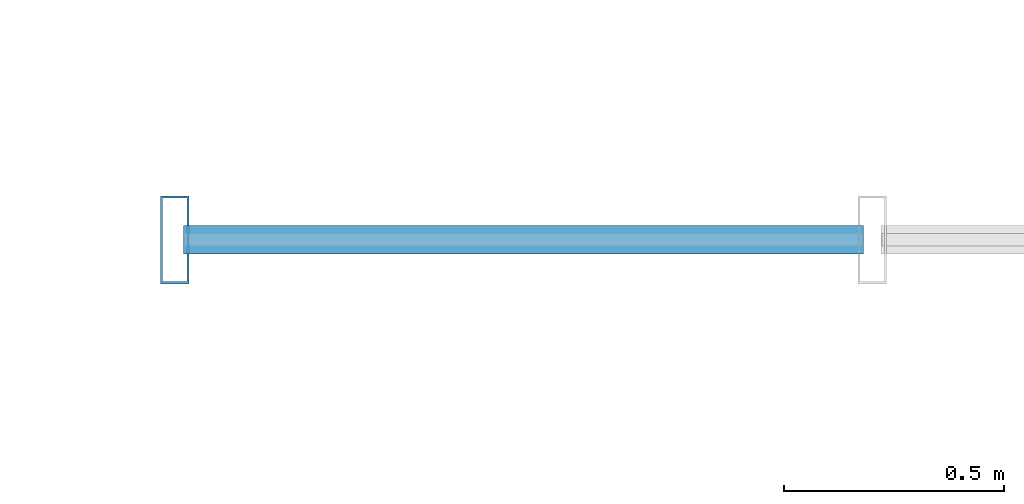
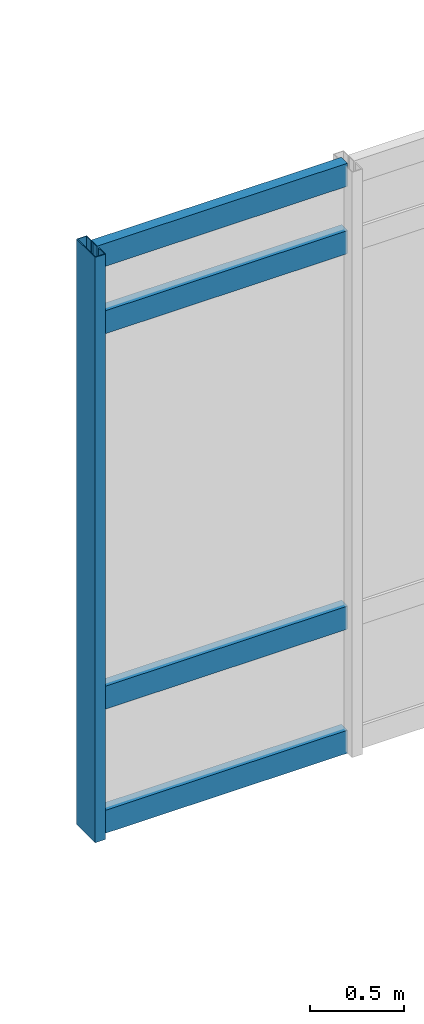
# One storey, part 98 of 161: 5 members, 1 element without a shape of its own.
"""IFC4 building model written with IfcOpenShell, lengths in metres."""

from ifc_helpers import new_model, si_unit, direction, frame, origin, origin_2d, place, context, subcontext, project, spatial, hollow_rectangle, extrude, material, layer, layer_set, material_profile, profile_set, type_object, element, aggregate, save


model = new_model("IFC4")

# Units and contexts
model_context = context("Model", 3, precision=1e-05, world=origin(), true_north=direction((0.0, 1.0)))
body_context = subcontext(model_context, "Body", "Model", "MODEL_VIEW")
ifc_project = project(units=[si_unit("LENGTHUNIT", "METRE"), si_unit("AREAUNIT", "SQUARE_METRE"), si_unit("VOLUMEUNIT", "CUBIC_METRE"), si_unit("PLANEANGLEUNIT", "RADIAN"), si_unit("MASSUNIT", "GRAM", prefix="KILO")], contexts=[model_context])

# Site, building, storey
site_placement = place(None, origin())
site = spatial("IfcSite", under=ifc_project, at=site_placement, CompositionType="ELEMENT")
building_placement = place(site_placement, origin())
building = spatial("IfcBuilding", under=site, at=building_placement, Name="Mersad Railyard Sports Hall", CompositionType="ELEMENT")
storey_placement = place(building_placement, frame((0.0, 0.0, 4.800048828125)))
storey = spatial("IfcBuildingStorey", under=building, at=storey_placement, Name="L01", CompositionType="ELEMENT", Elevation=4.800048828125)

# Curtain wall, members
ifc_material = material(Name="Aluminium 6063-T6", Category="aluminium")
ifc_layer = layer(ifc_material, 0.199951171875)
ifc_layer_set = layer_set([ifc_layer], Name="Aluminium 6063-T6")
curtain_wall_type = type_object("IfcCurtainWallType", Name="ARC-CW-CW12", PredefinedType="USERDEFINED", material=ifc_layer_set)
curtain_wall_placement = place(storey_placement, origin())
curtain_wall = element("IfcCurtainWall", 1, at=curtain_wall_placement, inside=storey, type_object=curtain_wall_type, Name="Curtain wall CW12-0039", ObjectType="CURTAIN WALL", PredefinedType="USERDEFINED")
ifc_material_profile_1 = material_profile(ifc_material, hollow_rectangle(XDim=0.06494140625, YDim=0.199951171875, WallThickness=0.0048828125, at=origin_2d()), Name="AL MULLION 65x200x5")
ifc_profile_set_1 = profile_set([ifc_material_profile_1], Name="Aluminium 6063-T6")
member_type_1 = type_object("IfcMemberType", Name="ARC-CW-MUL02", PredefinedType="MULLION", material=ifc_profile_set_1)
member_1_placement = place(storey_placement, frame((149.449951171875, 3.5, -0.02001953125), z_axis=(0.0, 0.0, 1.0), x_axis=(1.0, 0.0, 0.0)))
member_1 = element("IfcMember", 2, at=member_1_placement, type_object=member_type_1, Name="CW12 Mullion 8", PredefinedType="MULLION", context=body_context, shape_type="SweptSolid", body=[
    extrude(hollow_rectangle(XDim=0.06494140625, YDim=0.199951171875, WallThickness=0.0048828125, at=origin_2d()), origin(), (0.0, 0.0, 1.0), 3.820068359375),
])
ifc_material_profile_2 = material_profile(ifc_material, hollow_rectangle(XDim=0.06494140625, YDim=0.14990234375, WallThickness=0.00439453125, at=origin_2d()), Name="AL TRANSOM 65x150x4.5")
ifc_profile_set_2 = profile_set([ifc_material_profile_2], Name="Aluminium 6063-T6")
member_type_2 = type_object("IfcMemberType", Name="ARC-CW-TRN02", PredefinedType="USERDEFINED", material=ifc_profile_set_2)
member_2_placement = place(storey_placement, frame((151.015625, 3.5, 0.0400390625), z_axis=(-1.0, 0.0, 0.0), x_axis=(0.0, -1.0, 0.0)))
member_2 = element("IfcMember", 3, at=member_2_placement, type_object=member_type_2, Name="CW12 Transom 1-7", ObjectType="TRANSOM", PredefinedType="USERDEFINED", context=body_context, shape_type="SweptSolid", body=[
    extrude(hollow_rectangle(XDim=0.06494140625, YDim=0.14990234375, WallThickness=0.00439453125, at=origin_2d()), origin(), (0.0, 0.0, 1.0), 1.545654296875),
])
member_3_placement = place(storey_placement, frame((151.015625, 3.5, 0.849853515625), z_axis=(-1.0, 0.0, 0.0), x_axis=(0.0, -1.0, 0.0)))
member_3 = element("IfcMember", 4, at=member_3_placement, type_object=member_type_2, Name="CW12 Transom 2-7", ObjectType="TRANSOM", PredefinedType="USERDEFINED", context=body_context, shape_type="SweptSolid", body=[
    extrude(hollow_rectangle(XDim=0.06494140625, YDim=0.14990234375, WallThickness=0.00439453125, at=origin_2d()), origin(), (0.0, 0.0, 1.0), 1.545654296875),
])
member_4_placement = place(storey_placement, frame((151.015625, 3.5, 3.300048828125), z_axis=(-1.0, 0.0, 0.0), x_axis=(0.0, -1.0, 0.0)))
member_4 = element("IfcMember", 5, at=member_4_placement, type_object=member_type_2, Name="CW12 Transom 3-7", ObjectType="TRANSOM", PredefinedType="USERDEFINED", context=body_context, shape_type="SweptSolid", body=[
    extrude(hollow_rectangle(XDim=0.06494140625, YDim=0.14990234375, WallThickness=0.00439453125, at=origin_2d()), origin(), (0.0, 0.0, 1.0), 1.545654296875),
])
member_5_placement = place(storey_placement, frame((151.015625, 3.5, 3.739990234375), z_axis=(-1.0, 0.0, 0.0), x_axis=(0.0, -1.0, 0.0)))
member_5 = element("IfcMember", 6, at=member_5_placement, type_object=member_type_2, Name="CW12 Transom 4-7", ObjectType="TRANSOM", PredefinedType="USERDEFINED", context=body_context, shape_type="SweptSolid", body=[
    extrude(hollow_rectangle(XDim=0.06494140625, YDim=0.14990234375, WallThickness=0.00439453125, at=origin_2d()), origin(), (0.0, 0.0, 1.0), 1.545654296875),
])
aggregate(curtain_wall, [member_1, member_2, member_3, member_4, member_5])

save(model, "model.ifc")
